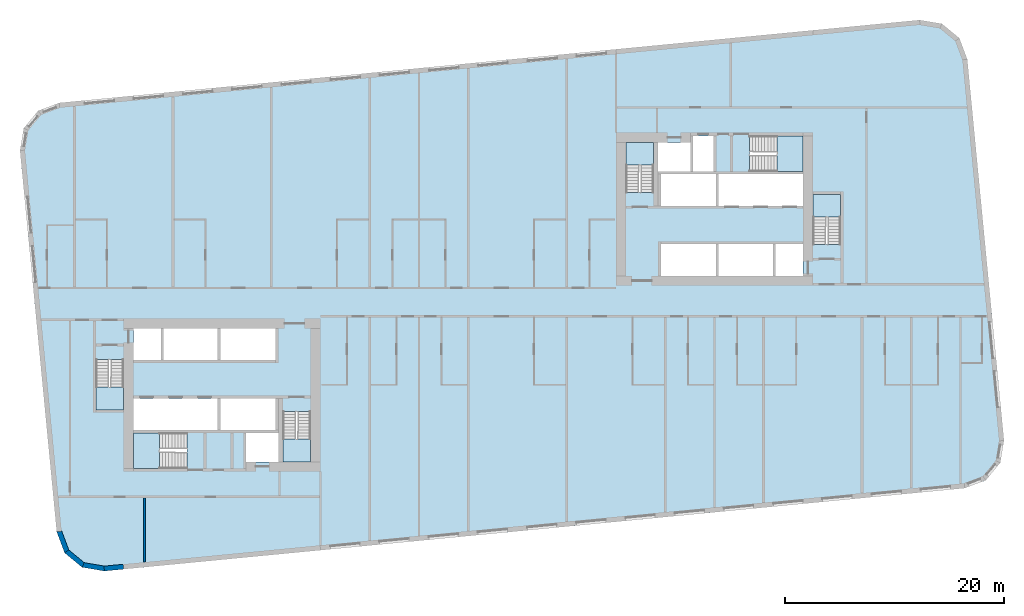
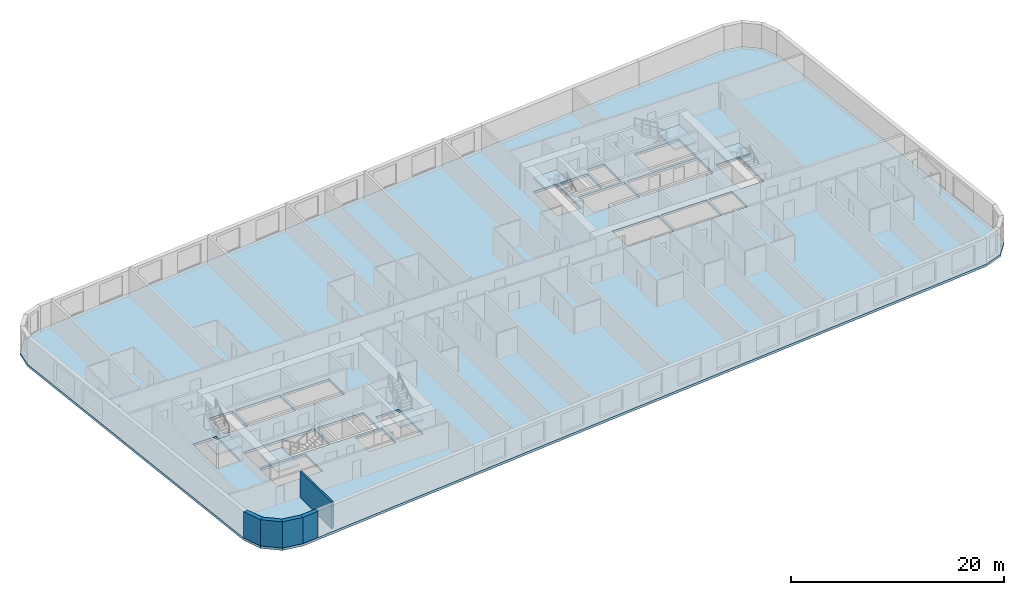
# One storey, part 1 of 12: 7 slabs, 5 walls, 6 elements without a shape of their own.
"""IFC4 building model written with IfcOpenShell, lengths in metres."""

from ifc_helpers import new_model, si_unit, direction, frame, frame_2d, origin, place, context, subcontext, project, spatial, polyline, rectangle, outline, extrude, material, layer, layer_set, type_object, element, aggregate, save


model = new_model("IFC4")

# Units and contexts
model_context = context("Model", 3, precision=1e-05, world=origin(), true_north=direction((0.0, 1.0)))
body_context = subcontext(model_context, "Body", "Model", "MODEL_VIEW")
ifc_project = project(units=[si_unit("LENGTHUNIT", "METRE"), si_unit("AREAUNIT", "SQUARE_METRE"), si_unit("VOLUMEUNIT", "CUBIC_METRE"), si_unit("PLANEANGLEUNIT", "RADIAN"), si_unit("MASSUNIT", "GRAM", prefix="KILO")], contexts=[model_context])

# Site, building, storey
site_placement = place(None, origin())
site = spatial("IfcSite", under=ifc_project, at=site_placement, CompositionType="ELEMENT")
building_placement = place(site_placement, origin())
building = spatial("IfcBuilding", under=site, at=building_placement, Name="Kajstack Hotel Tower", CompositionType="ELEMENT")
storey_placement = place(building_placement, frame((0.0, 0.0, 137.199951171875)))
storey = spatial("IfcBuildingStorey", under=building, at=storey_placement, Name="L31", CompositionType="ELEMENT", Elevation=137.199951171875)

# Slab
ifc_material_1 = material(Name="Concrete C40/50", Category="concrete")
ifc_layer_1 = layer(ifc_material_1, 0.280029296875)
ifc_layer_set_1 = layer_set([ifc_layer_1], Name="RC slab 280 C40/50 guest")
slab_type_1 = type_object("IfcSlabType", Name="RC slab 280 C40/50 guest", PredefinedType="FLOOR", material=ifc_layer_set_1)
slab_1_placement = place(storey_placement, frame((0.0, 0.0, -0.280029296875)))
element("IfcSlab", 1, at=slab_1_placement, inside=storey, type_object=slab_type_1, Name="S-slab-L31", PredefinedType="FLOOR", context=body_context, shape_type="SweptSolid", body=[
    extrude(outline(polyline([(-40.97705078125, 13.85009765625), (-37.622314453125, -20.98876953125), (-36.897216796875, -22.92822265625), (-35.299560546875, -24.2451171875), (-33.257568359375, -24.5869140625), (45.37890625, -17.01513671875), (47.318359375, -16.2900390625), (48.63525390625, -14.6923828125), (48.97705078125, -12.650146484375), (45.622314453125, 22.188720703125), (44.897216796875, 24.128173828125), (43.299560546875, 25.4453125), (41.257568359375, 25.786865234375), (-37.37890625, 18.215087890625), (-39.318359375, 17.489990234375), (-40.63525390625, 15.892333984375), (-40.97705078125, 13.85009765625)]), holes=[polyline([(-30.60009765625, -11.699951171875), (-30.60009765625, -8.800048828125), (-22.89990234375, -8.800048828125), (-22.89990234375, -11.699951171875), (-30.60009765625, -11.699951171875)]), polyline([(-22.64990234375, -11.699951171875), (-22.64990234375, -8.800048828125), (-17.60009765625, -8.800048828125), (-17.60009765625, -11.699951171875), (-22.64990234375, -11.699951171875)]), polyline([(-27.85009765625, -5.300048828125), (-27.85009765625, -2.39990234375), (-22.89990234375, -2.39990234375), (-22.89990234375, -5.300048828125), (-27.85009765625, -5.300048828125)]), polyline([(-22.64990234375, -5.300048828125), (-22.64990234375, -2.39990234375), (-17.60009765625, -2.39990234375), (-17.60009765625, -5.300048828125), (-22.64990234375, -5.300048828125)]), polyline([(-20.300048828125, -14.60009765625), (-17.35009765625, -14.60009765625), (-17.35009765625, -11.949951171875), (-20.300048828125, -11.949951171875), (-20.300048828125, -14.60009765625)]), polyline([(-30.60009765625, -5.300048828125), (-28.10009765625, -5.300048828125), (-28.10009765625, -2.39990234375), (-30.60009765625, -2.39990234375), (-30.60009765625, -5.300048828125)]), polyline([(22.89990234375, 8.800048828125), (22.89990234375, 11.699951171875), (30.60009765625, 11.699951171875), (30.60009765625, 8.800048828125), (22.89990234375, 8.800048828125)]), polyline([(17.60009765625, 8.800048828125), (17.60009765625, 11.699951171875), (22.64990234375, 11.699951171875), (22.64990234375, 8.800048828125), (17.60009765625, 8.800048828125)]), polyline([(22.89990234375, 2.39990234375), (22.89990234375, 5.300048828125), (27.85009765625, 5.300048828125), (27.85009765625, 2.39990234375), (22.89990234375, 2.39990234375)]), polyline([(17.60009765625, 2.39990234375), (17.60009765625, 5.300048828125), (22.64990234375, 5.300048828125), (22.64990234375, 2.39990234375), (17.60009765625, 2.39990234375)]), polyline([(20.300048828125, 14.60009765625), (17.35009765625, 14.60009765625), (17.35009765625, 11.949951171875), (20.300048828125, 11.949951171875), (20.300048828125, 14.60009765625)]), polyline([(30.60009765625, 5.300048828125), (28.10009765625, 5.300048828125), (28.10009765625, 2.39990234375), (30.60009765625, 2.39990234375), (30.60009765625, 5.300048828125)]), polyline([(-34.050048828125, -9.85009765625), (-31.5, -9.85009765625), (-31.5, -5.25), (-34.050048828125, -5.25), (-34.050048828125, -9.85009765625)]), polyline([(-16.949951171875, -14.60009765625), (-14.39990234375, -14.60009765625), (-14.39990234375, -10.0), (-16.949951171875, -10.0), (-16.949951171875, -14.60009765625)]), polyline([(-30.60009765625, -15.199951171875), (-25.699951171875, -15.199951171875), (-25.699951171875, -11.949951171875), (-30.60009765625, -11.949951171875), (-30.60009765625, -15.199951171875)]), polyline([(34.050048828125, 9.85009765625), (31.5, 9.85009765625), (31.5, 5.25), (34.050048828125, 5.25), (34.050048828125, 9.85009765625)]), polyline([(16.949951171875, 14.60009765625), (14.39990234375, 14.60009765625), (14.39990234375, 10.0), (16.949951171875, 10.0), (16.949951171875, 14.60009765625)]), polyline([(30.60009765625, 15.199951171875), (25.699951171875, 15.199951171875), (25.699951171875, 11.949951171875), (30.60009765625, 11.949951171875), (30.60009765625, 15.199951171875)]), polyline([(22.425048828125, 15.199951171875), (22.425048828125, 11.949951171875), (20.550048828125, 11.949951171875), (20.550048828125, 15.199951171875), (22.425048828125, 15.199951171875)])]), origin(), (0.0, 0.0, 1.0), 0.280029296875),
])

# Stair, slab
stair_type_1 = type_object("IfcStairType", Name="Exit stair 1200", PredefinedType="HALF_TURN_STAIR", material=ifc_material_1)
stair_1_placement = place(storey_placement, origin())
stair_1 = element("IfcStair", 2, at=stair_1_placement, inside=storey, type_object=stair_type_1, Name="L31 stair W1", PredefinedType="HALF_TURN_STAIR")
ifc_layer_2 = layer(ifc_material_1, 0.199951171875)
ifc_layer_set_2 = layer_set([ifc_layer_2], Name="Stair landing 200")
slab_type_2 = type_object("IfcSlabType", Name="Stair landing 200", PredefinedType="LANDING", material=ifc_layer_set_2)
slab_2_placement = place(storey_placement, frame((0.0, 0.0, 1.449951171875)))
slab_2 = element("IfcSlab", 3, at=slab_2_placement, type_object=slab_type_2, Name="W1 landing 1", PredefinedType="LANDING", context=body_context, shape_type="SweptSolid", body=[
    extrude(outline(polyline([(-34.050048828125, -7.77001953125), (-34.050048828125, -9.85009765625), (-31.5, -9.85009765625), (-31.5, -7.77001953125), (-34.050048828125, -7.77001953125)])), origin(), (0.0, 0.0, 1.0), 0.2001953125),
])
aggregate(stair_1, [slab_2])

stair_2_placement = place(storey_placement, origin())
stair_2 = element("IfcStair", 4, at=stair_2_placement, inside=storey, type_object=stair_type_1, Name="L31 stair W2", PredefinedType="HALF_TURN_STAIR")
slab_3_placement = place(storey_placement, frame((0.0, 0.0, 1.449951171875)))
slab_3 = element("IfcSlab", 5, at=slab_3_placement, type_object=slab_type_2, Name="W2 landing 1", PredefinedType="LANDING", context=body_context, shape_type="SweptSolid", body=[
    extrude(outline(polyline([(-16.949951171875, -12.52001953125), (-16.949951171875, -14.60009765625), (-14.39990234375, -14.60009765625), (-14.39990234375, -12.52001953125), (-16.949951171875, -12.52001953125)])), origin(), (0.0, 0.0, 1.0), 0.2001953125),
])
aggregate(stair_2, [slab_3])

stair_type_2 = type_object("IfcStairType", Name="Exit stair 1500", PredefinedType="HALF_TURN_STAIR", material=ifc_material_1)
stair_3_placement = place(storey_placement, origin())
stair_3 = element("IfcStair", 6, at=stair_3_placement, inside=storey, type_object=stair_type_2, Name="L31 stair W3", PredefinedType="HALF_TURN_STAIR")
slab_4_placement = place(storey_placement, frame((0.0, 0.0, 1.449951171875)))
slab_4 = element("IfcSlab", 7, at=slab_4_placement, type_object=slab_type_2, Name="W3 landing 1", PredefinedType="LANDING", context=body_context, shape_type="SweptSolid", body=[
    extrude(outline(polyline([(-28.219970703125, -11.949951171875), (-30.60009765625, -11.949951171875), (-30.60009765625, -15.199951171875), (-28.219970703125, -15.199951171875), (-28.219970703125, -11.949951171875)])), origin(), (0.0, 0.0, 1.0), 0.2001953125),
])
aggregate(stair_3, [slab_4])

stair_4_placement = place(storey_placement, origin())
stair_4 = element("IfcStair", 8, at=stair_4_placement, inside=storey, type_object=stair_type_1, Name="L31 stair E1", PredefinedType="HALF_TURN_STAIR")
slab_5_placement = place(storey_placement, frame((0.0, 0.0, 1.449951171875)))
slab_5 = element("IfcSlab", 9, at=slab_5_placement, type_object=slab_type_2, Name="E1 landing 1", PredefinedType="LANDING", context=body_context, shape_type="SweptSolid", body=[
    extrude(outline(polyline([(34.050048828125, 7.77001953125), (34.050048828125, 9.85009765625), (31.5, 9.85009765625), (31.5, 7.77001953125), (34.050048828125, 7.77001953125)])), origin(), (0.0, 0.0, 1.0), 0.2001953125),
])
aggregate(stair_4, [slab_5])

stair_5_placement = place(storey_placement, origin())
stair_5 = element("IfcStair", 10, at=stair_5_placement, inside=storey, type_object=stair_type_1, Name="L31 stair E2", PredefinedType="HALF_TURN_STAIR")
slab_6_placement = place(storey_placement, frame((0.0, 0.0, 1.449951171875)))
slab_6 = element("IfcSlab", 11, at=slab_6_placement, type_object=slab_type_2, Name="E2 landing 1", PredefinedType="LANDING", context=body_context, shape_type="SweptSolid", body=[
    extrude(outline(polyline([(16.949951171875, 12.52001953125), (16.949951171875, 14.60009765625), (14.39990234375, 14.60009765625), (14.39990234375, 12.52001953125), (16.949951171875, 12.52001953125)])), origin(), (0.0, 0.0, 1.0), 0.2001953125),
])
aggregate(stair_5, [slab_6])

stair_6_placement = place(storey_placement, origin())
stair_6 = element("IfcStair", 12, at=stair_6_placement, inside=storey, type_object=stair_type_2, Name="L31 stair E3", PredefinedType="HALF_TURN_STAIR")
slab_7_placement = place(storey_placement, frame((0.0, 0.0, 1.449951171875)))
slab_7 = element("IfcSlab", 13, at=slab_7_placement, type_object=slab_type_2, Name="E3 landing 1", PredefinedType="LANDING", context=body_context, shape_type="SweptSolid", body=[
    extrude(outline(polyline([(28.219970703125, 11.949951171875), (30.60009765625, 11.949951171875), (30.60009765625, 15.199951171875), (28.219970703125, 15.199951171875), (28.219970703125, 11.949951171875)])), origin(), (0.0, 0.0, 1.0), 0.2001953125),
])
aggregate(stair_6, [slab_7])

# Walls
ifc_material_2 = material(Name="Terracotta-faced brick masonry", Category="masonry")
ifc_layer_3 = layer(ifc_material_2, 0.449951171875)
ifc_layer_set_3 = layer_set([ifc_layer_3], Name="EW-TERRA")
wall_type_1 = type_object("IfcWallType", Name="EW-TERRA", PredefinedType="SOLIDWALL", material=ifc_layer_set_3)
for number, where, z_axis, x_axis, name in (
    (14, (-37.41162109375, -20.909912109375, 0.0), (0.0, 0.0, 1.0), (0.350192909346, -0.936677599948, 0.0), "E-wall-L31-01-00"),
    (15, (-36.754150390625, -22.754638671875, 0.0), (0.0, 0.0, 1.0), (0.771651049663, -0.636046112757, 0.0), "E-wall-L31-02-00"),
):
    element("IfcWall", number, at=place(storey_placement, frame(where, z_axis=z_axis, x_axis=x_axis)), inside=storey, type_object=wall_type_1, Name=name, PredefinedType="SOLIDWALL", context=body_context, shape_type="SweptSolid", body=[
        extrude(outline(polyline([(0.0, -0.22509765625), (2.070556640625, -0.22509765625), (1.949951171875, 0.224853515625), (0.12060546875, 0.22509765625), (0.0, -0.22509765625)])), origin(), (0.0, 0.0, 1.0), 3.02001953125),
    ])
wall_1_placement = place(storey_placement, frame((-35.262451171875, -24.023193359375, 0.0), z_axis=(0.0, 0.0, 1.0), x_axis=(0.986278951104, -0.165087342366, 0.0)))
element("IfcWall", 16, at=wall_1_placement, inside=storey, type_object=wall_type_1, Name="E-wall-L31-03-00", PredefinedType="SOLIDWALL", context=body_context, shape_type="SweptSolid", body=[
    extrude(outline(polyline([(0.0, -0.22509765625), (2.070556640625, -0.22509765625), (1.949951171875, 0.22509765625), (0.12060546875, 0.224853515625), (0.0, -0.22509765625)])), origin(), (0.0, 0.0, 1.0), 3.02001953125),
])
wall_2_placement = place(storey_placement, frame((-33.279052734375, -24.363037109375, 0.0), z_axis=(0.0, 0.0, 1.0), x_axis=(0.995385439311, 0.095957423931, 0.0)))
element("IfcWall", 17, at=wall_2_placement, inside=storey, type_object=wall_type_1, Name="E-wall-L31-04-00", PredefinedType="SOLIDWALL", context=body_context, shape_type="SweptSolid", body=[
    extrude(rectangle(XDim=1.765625, YDim=0.449951171875, at=frame_2d((0.8828125, 0.0))), origin(), (0.0, 0.0, 1.0), 3.02001953125),
])
ifc_material_3 = material(Name="Gypsum board on steel studs, mineral wool", Category="steel")
ifc_layer_4 = layer(ifc_material_3, 0.199951171875)
ifc_layer_set_4 = layer_set([ifc_layer_4], Name="Service partition 200")
wall_type_2 = type_object("IfcWallType", Name="Service partition 200", PredefinedType="PARTITIONING", material=ifc_layer_set_4)
wall_3_placement = place(storey_placement, frame((-29.60009765625, -23.78369140625, 0.0), z_axis=(0.0, 0.0, 1.0), x_axis=(0.0, 1.0, 0.0)))
element("IfcWall", 18, at=wall_3_placement, inside=storey, type_object=wall_type_2, Name="Partition W SLP0", PredefinedType="PARTITIONING", context=body_context, shape_type="SweptSolid", body=[
    extrude(rectangle(XDim=5.8837890625, YDim=0.199951171875, at=frame_2d((2.94189453125, 0.0))), origin(), (0.0, 0.0, 1.0), 3.02001953125),
])

save(model, "model.ifc")
